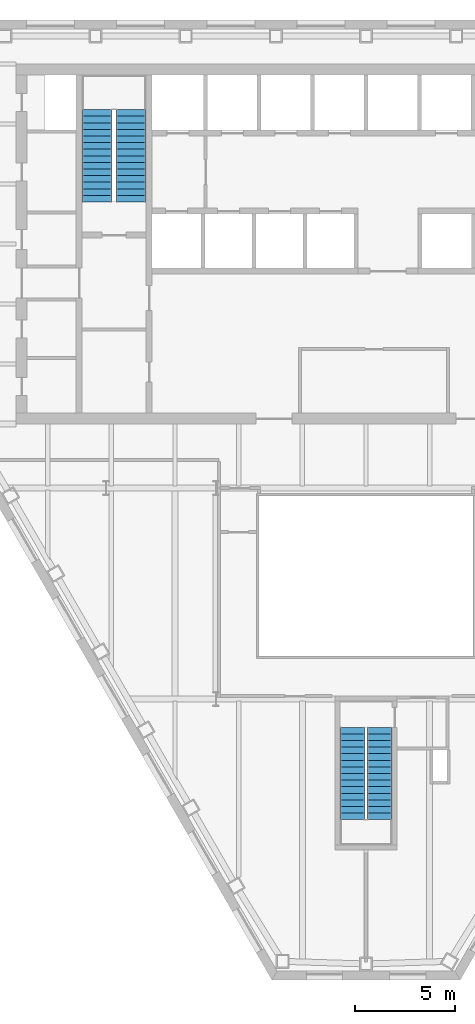
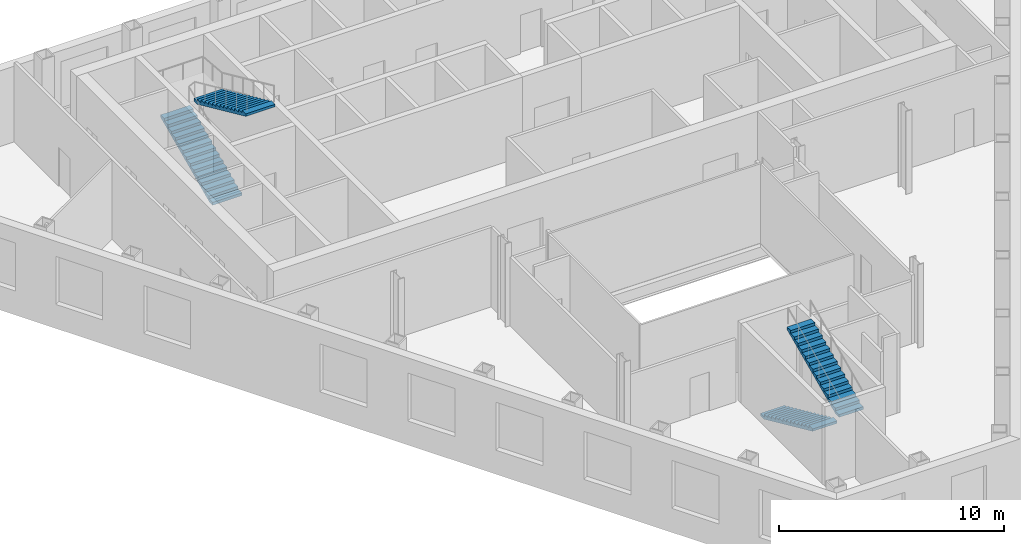
# One storey, part 9 of 11: 4 stair flights, 2 elements without a shape of their own.
"""IFC4 building model written with IfcOpenShell, lengths in metres."""

from ifc_helpers import new_model, si_unit, direction, frame, origin, place, context, subcontext, project, spatial, polygons, material, type_object, element, aggregate, save


model = new_model("IFC4")

# Units and contexts
model_context = context("Model", 3, precision=1e-05, world=origin(), true_north=direction((0.0, 1.0)))
body_context = subcontext(model_context, "Body", "Model", "MODEL_VIEW")
ifc_project = project(units=[si_unit("LENGTHUNIT", "METRE"), si_unit("AREAUNIT", "SQUARE_METRE"), si_unit("VOLUMEUNIT", "CUBIC_METRE"), si_unit("PLANEANGLEUNIT", "RADIAN"), si_unit("MASSUNIT", "GRAM", prefix="KILO")], contexts=[model_context])

# Site, building, storey
site_placement = place(None, origin())
site = spatial("IfcSite", under=ifc_project, at=site_placement, CompositionType="ELEMENT")
building_placement = place(site_placement, origin())
building = spatial("IfcBuilding", under=site, at=building_placement, Name="Njiva Tower", CompositionType="ELEMENT")
storey_placement = place(building_placement, frame((0.0, 0.0, 129.3)))
storey = spatial("IfcBuildingStorey", under=building, at=storey_placement, Name="L27", CompositionType="ELEMENT", Elevation=129.3)

# Stair, stair flights
ifc_material = material(Name="Concrete C40/50", Category="concrete")
stair_type_1 = type_object("IfcStairType", Name="ST1 Exit stair 1250", PredefinedType="HALF_TURN_STAIR", material=ifc_material)
stair_1_placement = place(storey_placement, origin())
stair_1 = element("IfcStair", 1, at=stair_1_placement, inside=storey, type_object=stair_type_1, Name="Stair C", PredefinedType="HALF_TURN_STAIR")
stair_flight_type_1 = type_object("IfcStairFlightType", Name="FL1 Stair flight 1250", PredefinedType="STRAIGHT", material=ifc_material)
stair_flight_1_placement = place(storey_placement, frame((-0.675, -15.16, 0.0), z_axis=(0.0, 0.0, 1.0), x_axis=(0.0, -1.0, 0.0)))
stair_flight_1 = element("IfcStairFlight", 2, at=stair_flight_1_placement, type_object=stair_flight_type_1, Name="ST-C flight 1", NumberOfRisers=15, NumberOfTreads=14, PredefinedType="STRAIGHT", RiserHeight=0.15, TreadLength=0.33, context=body_context, shape_type="Tessellation", body=[
    polygons([(0.0, 0.625, 0.0), (0.0, 0.3125, 0.0), (0.0, 0.0, 0.0), (0.0, -0.3125, 0.0), (0.0, -0.625, 0.0), (0.0, 0.625, 0.15), (0.0, 0.3125, 0.15), (0.0, 0.0, 0.15), (0.0, -0.3125, 0.15), (0.0, -0.625, 0.15), (0.33, 0.625, 0.15), (0.33, 0.3125, 0.15), (0.33, 0.0, 0.15), (0.33, -0.3125, 0.15), (0.33, -0.625, 0.15), (0.33, 0.625, 0.3), (0.33, 0.3125, 0.3), (0.33, 0.0, 0.3), (0.33, -0.3125, 0.3), (0.33, -0.625, 0.3), (0.66, 0.625, 0.3), (0.66, 0.3125, 0.3), (0.66, 0.0, 0.3), (0.66, -0.3125, 0.3), (0.66, -0.625, 0.3), (0.66, 0.625, 0.45), (0.66, 0.3125, 0.45), (0.66, 0.0, 0.45), (0.66, -0.3125, 0.45), (0.66, -0.625, 0.45), (0.99, 0.625, 0.45), (0.99, 0.3125, 0.45), (0.99, 0.0, 0.45), (0.99, -0.3125, 0.45), (0.99, -0.625, 0.45), (0.99, 0.625, 0.6), (0.99, 0.3125, 0.6), (0.99, 0.0, 0.6), (0.99, -0.3125, 0.6), (0.99, -0.625, 0.6), (1.32, 0.625, 0.6), (1.32, 0.3125, 0.6), (1.32, 0.0, 0.6), (1.32, -0.3125, 0.6), (1.32, -0.625, 0.6), (1.32, 0.625, 0.75), (1.32, 0.3125, 0.75), (1.32, 0.0, 0.75), (1.32, -0.3125, 0.75), (1.32, -0.625, 0.75), (1.65, 0.625, 0.75), (1.65, 0.3125, 0.75), (1.65, 0.0, 0.75), (1.65, -0.3125, 0.75), (1.65, -0.625, 0.75), (1.65, 0.625, 0.9), (1.65, 0.3125, 0.9), (1.65, 0.0, 0.9), (1.65, -0.3125, 0.9), (1.65, -0.625, 0.9), (1.98, 0.625, 0.9), (1.98, 0.3125, 0.9), (1.98, 0.0, 0.9), (1.98, -0.3125, 0.9), (1.98, -0.625, 0.9), (1.98, 0.625, 1.05), (1.98, 0.3125, 1.05), (1.98, 0.0, 1.05), (1.98, -0.3125, 1.05), (1.98, -0.625, 1.05), (2.31, 0.625, 1.05), (2.31, 0.3125, 1.05), (2.31, 0.0, 1.05), (2.31, -0.3125, 1.05), (2.31, -0.625, 1.05), (2.31, 0.625, 1.2), (2.31, 0.3125, 1.2), (2.31, 0.0, 1.2), (2.31, -0.3125, 1.2), (2.31, -0.625, 1.2), (2.64, 0.625, 1.2), (2.64, 0.3125, 1.2), (2.64, 0.0, 1.2), (2.64, -0.3125, 1.2), (2.64, -0.625, 1.2), (2.64, 0.625, 1.35), (2.64, 0.3125, 1.35), (2.64, 0.0, 1.35), (2.64, -0.3125, 1.35), (2.64, -0.625, 1.35), (2.97, 0.625, 1.35), (2.97, 0.3125, 1.35), (2.97, 0.0, 1.35), (2.97, -0.3125, 1.35), (2.97, -0.625, 1.35), (2.97, 0.625, 1.5), (2.97, 0.3125, 1.5), (2.97, 0.0, 1.5), (2.97, -0.3125, 1.5), (2.97, -0.625, 1.5), (3.3, 0.625, 1.5), (3.3, 0.3125, 1.5), (3.3, 0.0, 1.5), (3.3, -0.3125, 1.5), (3.3, -0.625, 1.5), (3.3, 0.625, 1.65), (3.3, 0.3125, 1.65), (3.3, 0.0, 1.65), (3.3, -0.3125, 1.65), (3.3, -0.625, 1.65), (3.63, 0.625, 1.65), (3.63, 0.3125, 1.65), (3.63, 0.0, 1.65), (3.63, -0.3125, 1.65), (3.63, -0.625, 1.65), (3.63, 0.625, 1.8), (3.63, 0.3125, 1.8), (3.63, 0.0, 1.8), (3.63, -0.3125, 1.8), (3.63, -0.625, 1.8), (3.96, 0.625, 1.8), (3.96, 0.3125, 1.8), (3.96, 0.0, 1.8), (3.96, -0.3125, 1.8), (3.96, -0.625, 1.8), (3.96, 0.625, 1.95), (3.96, 0.3125, 1.95), (3.96, 0.0, 1.95), (3.96, -0.3125, 1.95), (3.96, -0.625, 1.95), (4.29, 0.625, 1.95), (4.29, 0.3125, 1.95), (4.29, 0.0, 1.95), (4.29, -0.3125, 1.95), (4.29, -0.625, 1.95), (4.29, 0.625, 2.1), (4.29, 0.3125, 2.1), (4.29, 0.0, 2.1), (4.29, -0.3125, 2.1), (4.29, -0.625, 2.1), (4.62, 0.625, 2.1), (4.62, 0.3125, 2.1), (4.62, 0.0, 2.1), (4.62, -0.3125, 2.1), (4.62, -0.625, 2.1), (4.62, 0.625, 1.9682), (4.62, 0.3125, 1.9682), (4.62, 0.0, 1.9682), (4.62, -0.3125, 1.9682), (4.62, -0.625, 1.9682), (0.29, 0.625, 0.0), (0.29, 0.3125, 0.0), (0.29, 0.0, 0.0), (0.29, -0.3125, 0.0), (0.29, -0.625, 0.0)], [[[1, 6, 11, 16, 21, 26, 31, 36, 41, 46, 51, 56, 61, 66, 71, 76, 81, 86, 91, 96, 101, 106, 111, 116, 121, 126, 131, 136, 141, 146, 151]], [[155, 150, 145, 140, 135, 130, 125, 120, 115, 110, 105, 100, 95, 90, 85, 80, 75, 70, 65, 60, 55, 50, 45, 40, 35, 30, 25, 20, 15, 10, 5]], [[6, 1, 2, 7]], [[7, 2, 3, 8]], [[8, 3, 4, 9]], [[9, 4, 5, 10]], [[11, 6, 7, 12]], [[12, 7, 8, 13]], [[13, 8, 9, 14]], [[14, 9, 10, 15]], [[16, 11, 12, 17]], [[17, 12, 13, 18]], [[18, 13, 14, 19]], [[19, 14, 15, 20]], [[21, 16, 17, 22]], [[22, 17, 18, 23]], [[23, 18, 19, 24]], [[24, 19, 20, 25]], [[26, 21, 22, 27]], [[27, 22, 23, 28]], [[28, 23, 24, 29]], [[29, 24, 25, 30]], [[31, 26, 27, 32]], [[32, 27, 28, 33]], [[33, 28, 29, 34]], [[34, 29, 30, 35]], [[36, 31, 32, 37]], [[37, 32, 33, 38]], [[38, 33, 34, 39]], [[39, 34, 35, 40]], [[41, 36, 37, 42]], [[42, 37, 38, 43]], [[43, 38, 39, 44]], [[44, 39, 40, 45]], [[46, 41, 42, 47]], [[47, 42, 43, 48]], [[48, 43, 44, 49]], [[49, 44, 45, 50]], [[51, 46, 47, 52]], [[52, 47, 48, 53]], [[53, 48, 49, 54]], [[54, 49, 50, 55]], [[56, 51, 52, 57]], [[57, 52, 53, 58]], [[58, 53, 54, 59]], [[59, 54, 55, 60]], [[61, 56, 57, 62]], [[62, 57, 58, 63]], [[63, 58, 59, 64]], [[64, 59, 60, 65]], [[66, 61, 62, 67]], [[67, 62, 63, 68]], [[68, 63, 64, 69]], [[69, 64, 65, 70]], [[71, 66, 67, 72]], [[72, 67, 68, 73]], [[73, 68, 69, 74]], [[74, 69, 70, 75]], [[76, 71, 72, 77]], [[77, 72, 73, 78]], [[78, 73, 74, 79]], [[79, 74, 75, 80]], [[81, 76, 77, 82]], [[82, 77, 78, 83]], [[83, 78, 79, 84]], [[84, 79, 80, 85]], [[86, 81, 82, 87]], [[87, 82, 83, 88]], [[88, 83, 84, 89]], [[89, 84, 85, 90]], [[91, 86, 87, 92]], [[92, 87, 88, 93]], [[93, 88, 89, 94]], [[94, 89, 90, 95]], [[96, 91, 92, 97]], [[97, 92, 93, 98]], [[98, 93, 94, 99]], [[99, 94, 95, 100]], [[101, 96, 97, 102]], [[102, 97, 98, 103]], [[103, 98, 99, 104]], [[104, 99, 100, 105]], [[106, 101, 102, 107]], [[107, 102, 103, 108]], [[108, 103, 104, 109]], [[109, 104, 105, 110]], [[111, 106, 107, 112]], [[112, 107, 108, 113]], [[113, 108, 109, 114]], [[114, 109, 110, 115]], [[116, 111, 112, 117]], [[117, 112, 113, 118]], [[118, 113, 114, 119]], [[119, 114, 115, 120]], [[121, 116, 117, 122]], [[122, 117, 118, 123]], [[123, 118, 119, 124]], [[124, 119, 120, 125]], [[126, 121, 122, 127]], [[127, 122, 123, 128]], [[128, 123, 124, 129]], [[129, 124, 125, 130]], [[131, 126, 127, 132]], [[132, 127, 128, 133]], [[133, 128, 129, 134]], [[134, 129, 130, 135]], [[136, 131, 132, 137]], [[137, 132, 133, 138]], [[138, 133, 134, 139]], [[139, 134, 135, 140]], [[141, 136, 137, 142]], [[142, 137, 138, 143]], [[143, 138, 139, 144]], [[144, 139, 140, 145]], [[146, 141, 142, 147]], [[147, 142, 143, 148]], [[148, 143, 144, 149]], [[149, 144, 145, 150]], [[151, 146, 147, 152]], [[152, 147, 148, 153]], [[153, 148, 149, 154]], [[154, 149, 150, 155]], [[1, 151, 152, 2]], [[2, 152, 153, 3]], [[3, 153, 154, 4]], [[4, 154, 155, 5]]], closed=True),
])
stair_flight_2_placement = place(storey_placement, frame((0.675, -19.78, 2.25), z_axis=(0.0, 0.0, 1.0), x_axis=(0.0, 1.0, 0.0)))
stair_flight_2 = element("IfcStairFlight", 3, at=stair_flight_2_placement, type_object=stair_flight_type_1, Name="ST-C flight 2", NumberOfRisers=15, NumberOfTreads=14, PredefinedType="STRAIGHT", RiserHeight=0.15, TreadLength=0.33, context=body_context, shape_type="Tessellation", body=[
    polygons([(0.0, 0.625, 0.0), (0.0, 0.3125, 0.0), (0.0, 0.0, 0.0), (0.0, -0.3125, 0.0), (0.0, -0.625, 0.0), (0.0, 0.625, 0.15), (0.0, 0.3125, 0.15), (0.0, 0.0, 0.15), (0.0, -0.3125, 0.15), (0.0, -0.625, 0.15), (0.33, 0.625, 0.15), (0.33, 0.3125, 0.15), (0.33, 0.0, 0.15), (0.33, -0.3125, 0.15), (0.33, -0.625, 0.15), (0.33, 0.625, 0.3), (0.33, 0.3125, 0.3), (0.33, 0.0, 0.3), (0.33, -0.3125, 0.3), (0.33, -0.625, 0.3), (0.66, 0.625, 0.3), (0.66, 0.3125, 0.3), (0.66, 0.0, 0.3), (0.66, -0.3125, 0.3), (0.66, -0.625, 0.3), (0.66, 0.625, 0.45), (0.66, 0.3125, 0.45), (0.66, 0.0, 0.45), (0.66, -0.3125, 0.45), (0.66, -0.625, 0.45), (0.99, 0.625, 0.45), (0.99, 0.3125, 0.45), (0.99, 0.0, 0.45), (0.99, -0.3125, 0.45), (0.99, -0.625, 0.45), (0.99, 0.625, 0.6), (0.99, 0.3125, 0.6), (0.99, 0.0, 0.6), (0.99, -0.3125, 0.6), (0.99, -0.625, 0.6), (1.32, 0.625, 0.6), (1.32, 0.3125, 0.6), (1.32, 0.0, 0.6), (1.32, -0.3125, 0.6), (1.32, -0.625, 0.6), (1.32, 0.625, 0.75), (1.32, 0.3125, 0.75), (1.32, 0.0, 0.75), (1.32, -0.3125, 0.75), (1.32, -0.625, 0.75), (1.65, 0.625, 0.75), (1.65, 0.3125, 0.75), (1.65, 0.0, 0.75), (1.65, -0.3125, 0.75), (1.65, -0.625, 0.75), (1.65, 0.625, 0.9), (1.65, 0.3125, 0.9), (1.65, 0.0, 0.9), (1.65, -0.3125, 0.9), (1.65, -0.625, 0.9), (1.98, 0.625, 0.9), (1.98, 0.3125, 0.9), (1.98, 0.0, 0.9), (1.98, -0.3125, 0.9), (1.98, -0.625, 0.9), (1.98, 0.625, 1.05), (1.98, 0.3125, 1.05), (1.98, 0.0, 1.05), (1.98, -0.3125, 1.05), (1.98, -0.625, 1.05), (2.31, 0.625, 1.05), (2.31, 0.3125, 1.05), (2.31, 0.0, 1.05), (2.31, -0.3125, 1.05), (2.31, -0.625, 1.05), (2.31, 0.625, 1.2), (2.31, 0.3125, 1.2), (2.31, 0.0, 1.2), (2.31, -0.3125, 1.2), (2.31, -0.625, 1.2), (2.64, 0.625, 1.2), (2.64, 0.3125, 1.2), (2.64, 0.0, 1.2), (2.64, -0.3125, 1.2), (2.64, -0.625, 1.2), (2.64, 0.625, 1.35), (2.64, 0.3125, 1.35), (2.64, 0.0, 1.35), (2.64, -0.3125, 1.35), (2.64, -0.625, 1.35), (2.97, 0.625, 1.35), (2.97, 0.3125, 1.35), (2.97, 0.0, 1.35), (2.97, -0.3125, 1.35), (2.97, -0.625, 1.35), (2.97, 0.625, 1.5), (2.97, 0.3125, 1.5), (2.97, 0.0, 1.5), (2.97, -0.3125, 1.5), (2.97, -0.625, 1.5), (3.3, 0.625, 1.5), (3.3, 0.3125, 1.5), (3.3, 0.0, 1.5), (3.3, -0.3125, 1.5), (3.3, -0.625, 1.5), (3.3, 0.625, 1.65), (3.3, 0.3125, 1.65), (3.3, 0.0, 1.65), (3.3, -0.3125, 1.65), (3.3, -0.625, 1.65), (3.63, 0.625, 1.65), (3.63, 0.3125, 1.65), (3.63, 0.0, 1.65), (3.63, -0.3125, 1.65), (3.63, -0.625, 1.65), (3.63, 0.625, 1.8), (3.63, 0.3125, 1.8), (3.63, 0.0, 1.8), (3.63, -0.3125, 1.8), (3.63, -0.625, 1.8), (3.96, 0.625, 1.8), (3.96, 0.3125, 1.8), (3.96, 0.0, 1.8), (3.96, -0.3125, 1.8), (3.96, -0.625, 1.8), (3.96, 0.625, 1.95), (3.96, 0.3125, 1.95), (3.96, 0.0, 1.95), (3.96, -0.3125, 1.95), (3.96, -0.625, 1.95), (4.29, 0.625, 1.95), (4.29, 0.3125, 1.95), (4.29, 0.0, 1.95), (4.29, -0.3125, 1.95), (4.29, -0.625, 1.95), (4.29, 0.625, 2.1), (4.29, 0.3125, 2.1), (4.29, 0.0, 2.1), (4.29, -0.3125, 2.1), (4.29, -0.625, 2.1), (4.62, 0.625, 2.1), (4.62, 0.3125, 2.1), (4.62, 0.0, 2.1), (4.62, -0.3125, 2.1), (4.62, -0.625, 2.1), (4.62, 0.625, 1.9682), (4.62, 0.3125, 1.9682), (4.62, 0.0, 1.9682), (4.62, -0.3125, 1.9682), (4.62, -0.625, 1.9682), (0.29, 0.625, 0.0), (0.29, 0.3125, 0.0), (0.29, 0.0, 0.0), (0.29, -0.3125, 0.0), (0.29, -0.625, 0.0)], [[[1, 6, 11, 16, 21, 26, 31, 36, 41, 46, 51, 56, 61, 66, 71, 76, 81, 86, 91, 96, 101, 106, 111, 116, 121, 126, 131, 136, 141, 146, 151]], [[155, 150, 145, 140, 135, 130, 125, 120, 115, 110, 105, 100, 95, 90, 85, 80, 75, 70, 65, 60, 55, 50, 45, 40, 35, 30, 25, 20, 15, 10, 5]], [[6, 1, 2, 7]], [[7, 2, 3, 8]], [[8, 3, 4, 9]], [[9, 4, 5, 10]], [[11, 6, 7, 12]], [[12, 7, 8, 13]], [[13, 8, 9, 14]], [[14, 9, 10, 15]], [[16, 11, 12, 17]], [[17, 12, 13, 18]], [[18, 13, 14, 19]], [[19, 14, 15, 20]], [[21, 16, 17, 22]], [[22, 17, 18, 23]], [[23, 18, 19, 24]], [[24, 19, 20, 25]], [[26, 21, 22, 27]], [[27, 22, 23, 28]], [[28, 23, 24, 29]], [[29, 24, 25, 30]], [[31, 26, 27, 32]], [[32, 27, 28, 33]], [[33, 28, 29, 34]], [[34, 29, 30, 35]], [[36, 31, 32, 37]], [[37, 32, 33, 38]], [[38, 33, 34, 39]], [[39, 34, 35, 40]], [[41, 36, 37, 42]], [[42, 37, 38, 43]], [[43, 38, 39, 44]], [[44, 39, 40, 45]], [[46, 41, 42, 47]], [[47, 42, 43, 48]], [[48, 43, 44, 49]], [[49, 44, 45, 50]], [[51, 46, 47, 52]], [[52, 47, 48, 53]], [[53, 48, 49, 54]], [[54, 49, 50, 55]], [[56, 51, 52, 57]], [[57, 52, 53, 58]], [[58, 53, 54, 59]], [[59, 54, 55, 60]], [[61, 56, 57, 62]], [[62, 57, 58, 63]], [[63, 58, 59, 64]], [[64, 59, 60, 65]], [[66, 61, 62, 67]], [[67, 62, 63, 68]], [[68, 63, 64, 69]], [[69, 64, 65, 70]], [[71, 66, 67, 72]], [[72, 67, 68, 73]], [[73, 68, 69, 74]], [[74, 69, 70, 75]], [[76, 71, 72, 77]], [[77, 72, 73, 78]], [[78, 73, 74, 79]], [[79, 74, 75, 80]], [[81, 76, 77, 82]], [[82, 77, 78, 83]], [[83, 78, 79, 84]], [[84, 79, 80, 85]], [[86, 81, 82, 87]], [[87, 82, 83, 88]], [[88, 83, 84, 89]], [[89, 84, 85, 90]], [[91, 86, 87, 92]], [[92, 87, 88, 93]], [[93, 88, 89, 94]], [[94, 89, 90, 95]], [[96, 91, 92, 97]], [[97, 92, 93, 98]], [[98, 93, 94, 99]], [[99, 94, 95, 100]], [[101, 96, 97, 102]], [[102, 97, 98, 103]], [[103, 98, 99, 104]], [[104, 99, 100, 105]], [[106, 101, 102, 107]], [[107, 102, 103, 108]], [[108, 103, 104, 109]], [[109, 104, 105, 110]], [[111, 106, 107, 112]], [[112, 107, 108, 113]], [[113, 108, 109, 114]], [[114, 109, 110, 115]], [[116, 111, 112, 117]], [[117, 112, 113, 118]], [[118, 113, 114, 119]], [[119, 114, 115, 120]], [[121, 116, 117, 122]], [[122, 117, 118, 123]], [[123, 118, 119, 124]], [[124, 119, 120, 125]], [[126, 121, 122, 127]], [[127, 122, 123, 128]], [[128, 123, 124, 129]], [[129, 124, 125, 130]], [[131, 126, 127, 132]], [[132, 127, 128, 133]], [[133, 128, 129, 134]], [[134, 129, 130, 135]], [[136, 131, 132, 137]], [[137, 132, 133, 138]], [[138, 133, 134, 139]], [[139, 134, 135, 140]], [[141, 136, 137, 142]], [[142, 137, 138, 143]], [[143, 138, 139, 144]], [[144, 139, 140, 145]], [[146, 141, 142, 147]], [[147, 142, 143, 148]], [[148, 143, 144, 149]], [[149, 144, 145, 150]], [[151, 146, 147, 152]], [[152, 147, 148, 153]], [[153, 148, 149, 154]], [[154, 149, 150, 155]], [[1, 151, 152, 2]], [[2, 152, 153, 3]], [[3, 153, 154, 4]], [[4, 154, 155, 5]]], closed=True),
])
aggregate(stair_1, [stair_flight_1, stair_flight_2])

stair_type_2 = type_object("IfcStairType", Name="ST4 Exit stair 1500", PredefinedType="HALF_TURN_STAIR", material=ifc_material)
stair_2_placement = place(storey_placement, origin())
stair_2 = element("IfcStair", 4, at=stair_2_placement, inside=storey, type_object=stair_type_2, Name="Stair A", PredefinedType="HALF_TURN_STAIR")
stair_flight_type_2 = type_object("IfcStairFlightType", Name="FL4 Stair flight 1500", PredefinedType="STRAIGHT", material=ifc_material)
stair_flight_3_placement = place(storey_placement, frame((-13.45, 11.1, 0.0), z_axis=(0.0, 0.0, 1.0), x_axis=(0.0, 1.0, 0.0)))
stair_flight_3 = element("IfcStairFlight", 5, at=stair_flight_3_placement, type_object=stair_flight_type_2, Name="ST-A flight 1", NumberOfRisers=15, NumberOfTreads=14, PredefinedType="STRAIGHT", RiserHeight=0.15, TreadLength=0.33, context=body_context, shape_type="Tessellation", body=[
    polygons([(0.0, 0.75, 0.0), (0.0, 0.375, 0.0), (0.0, 0.0, 0.0), (0.0, -0.375, 0.0), (0.0, -0.75, 0.0), (0.0, 0.75, 0.15), (0.0, 0.375, 0.15), (0.0, 0.0, 0.15), (0.0, -0.375, 0.15), (0.0, -0.75, 0.15), (0.33, 0.75, 0.15), (0.33, 0.375, 0.15), (0.33, 0.0, 0.15), (0.33, -0.375, 0.15), (0.33, -0.75, 0.15), (0.33, 0.75, 0.3), (0.33, 0.375, 0.3), (0.33, 0.0, 0.3), (0.33, -0.375, 0.3), (0.33, -0.75, 0.3), (0.66, 0.75, 0.3), (0.66, 0.375, 0.3), (0.66, 0.0, 0.3), (0.66, -0.375, 0.3), (0.66, -0.75, 0.3), (0.66, 0.75, 0.45), (0.66, 0.375, 0.45), (0.66, 0.0, 0.45), (0.66, -0.375, 0.45), (0.66, -0.75, 0.45), (0.99, 0.75, 0.45), (0.99, 0.375, 0.45), (0.99, 0.0, 0.45), (0.99, -0.375, 0.45), (0.99, -0.75, 0.45), (0.99, 0.75, 0.6), (0.99, 0.375, 0.6), (0.99, 0.0, 0.6), (0.99, -0.375, 0.6), (0.99, -0.75, 0.6), (1.32, 0.75, 0.6), (1.32, 0.375, 0.6), (1.32, 0.0, 0.6), (1.32, -0.375, 0.6), (1.32, -0.75, 0.6), (1.32, 0.75, 0.75), (1.32, 0.375, 0.75), (1.32, 0.0, 0.75), (1.32, -0.375, 0.75), (1.32, -0.75, 0.75), (1.65, 0.75, 0.75), (1.65, 0.375, 0.75), (1.65, 0.0, 0.75), (1.65, -0.375, 0.75), (1.65, -0.75, 0.75), (1.65, 0.75, 0.9), (1.65, 0.375, 0.9), (1.65, 0.0, 0.9), (1.65, -0.375, 0.9), (1.65, -0.75, 0.9), (1.98, 0.75, 0.9), (1.98, 0.375, 0.9), (1.98, 0.0, 0.9), (1.98, -0.375, 0.9), (1.98, -0.75, 0.9), (1.98, 0.75, 1.05), (1.98, 0.375, 1.05), (1.98, 0.0, 1.05), (1.98, -0.375, 1.05), (1.98, -0.75, 1.05), (2.31, 0.75, 1.05), (2.31, 0.375, 1.05), (2.31, 0.0, 1.05), (2.31, -0.375, 1.05), (2.31, -0.75, 1.05), (2.31, 0.75, 1.2), (2.31, 0.375, 1.2), (2.31, 0.0, 1.2), (2.31, -0.375, 1.2), (2.31, -0.75, 1.2), (2.64, 0.75, 1.2), (2.64, 0.375, 1.2), (2.64, 0.0, 1.2), (2.64, -0.375, 1.2), (2.64, -0.75, 1.2), (2.64, 0.75, 1.35), (2.64, 0.375, 1.35), (2.64, 0.0, 1.35), (2.64, -0.375, 1.35), (2.64, -0.75, 1.35), (2.97, 0.75, 1.35), (2.97, 0.375, 1.35), (2.97, 0.0, 1.35), (2.97, -0.375, 1.35), (2.97, -0.75, 1.35), (2.97, 0.75, 1.5), (2.97, 0.375, 1.5), (2.97, 0.0, 1.5), (2.97, -0.375, 1.5), (2.97, -0.75, 1.5), (3.3, 0.75, 1.5), (3.3, 0.375, 1.5), (3.3, 0.0, 1.5), (3.3, -0.375, 1.5), (3.3, -0.75, 1.5), (3.3, 0.75, 1.65), (3.3, 0.375, 1.65), (3.3, 0.0, 1.65), (3.3, -0.375, 1.65), (3.3, -0.75, 1.65), (3.63, 0.75, 1.65), (3.63, 0.375, 1.65), (3.63, 0.0, 1.65), (3.63, -0.375, 1.65), (3.63, -0.75, 1.65), (3.63, 0.75, 1.8), (3.63, 0.375, 1.8), (3.63, 0.0, 1.8), (3.63, -0.375, 1.8), (3.63, -0.75, 1.8), (3.96, 0.75, 1.8), (3.96, 0.375, 1.8), (3.96, 0.0, 1.8), (3.96, -0.375, 1.8), (3.96, -0.75, 1.8), (3.96, 0.75, 1.95), (3.96, 0.375, 1.95), (3.96, 0.0, 1.95), (3.96, -0.375, 1.95), (3.96, -0.75, 1.95), (4.29, 0.75, 1.95), (4.29, 0.375, 1.95), (4.29, 0.0, 1.95), (4.29, -0.375, 1.95), (4.29, -0.75, 1.95), (4.29, 0.75, 2.1), (4.29, 0.375, 2.1), (4.29, 0.0, 2.1), (4.29, -0.375, 2.1), (4.29, -0.75, 2.1), (4.62, 0.75, 2.1), (4.62, 0.375, 2.1), (4.62, 0.0, 2.1), (4.62, -0.375, 2.1), (4.62, -0.75, 2.1), (4.62, 0.75, 1.9682), (4.62, 0.375, 1.9682), (4.62, 0.0, 1.9682), (4.62, -0.375, 1.9682), (4.62, -0.75, 1.9682), (0.29, 0.75, 0.0), (0.29, 0.375, 0.0), (0.29, 0.0, 0.0), (0.29, -0.375, 0.0), (0.29, -0.75, 0.0)], [[[1, 6, 11, 16, 21, 26, 31, 36, 41, 46, 51, 56, 61, 66, 71, 76, 81, 86, 91, 96, 101, 106, 111, 116, 121, 126, 131, 136, 141, 146, 151]], [[155, 150, 145, 140, 135, 130, 125, 120, 115, 110, 105, 100, 95, 90, 85, 80, 75, 70, 65, 60, 55, 50, 45, 40, 35, 30, 25, 20, 15, 10, 5]], [[6, 1, 2, 7]], [[7, 2, 3, 8]], [[8, 3, 4, 9]], [[9, 4, 5, 10]], [[11, 6, 7, 12]], [[12, 7, 8, 13]], [[13, 8, 9, 14]], [[14, 9, 10, 15]], [[16, 11, 12, 17]], [[17, 12, 13, 18]], [[18, 13, 14, 19]], [[19, 14, 15, 20]], [[21, 16, 17, 22]], [[22, 17, 18, 23]], [[23, 18, 19, 24]], [[24, 19, 20, 25]], [[26, 21, 22, 27]], [[27, 22, 23, 28]], [[28, 23, 24, 29]], [[29, 24, 25, 30]], [[31, 26, 27, 32]], [[32, 27, 28, 33]], [[33, 28, 29, 34]], [[34, 29, 30, 35]], [[36, 31, 32, 37]], [[37, 32, 33, 38]], [[38, 33, 34, 39]], [[39, 34, 35, 40]], [[41, 36, 37, 42]], [[42, 37, 38, 43]], [[43, 38, 39, 44]], [[44, 39, 40, 45]], [[46, 41, 42, 47]], [[47, 42, 43, 48]], [[48, 43, 44, 49]], [[49, 44, 45, 50]], [[51, 46, 47, 52]], [[52, 47, 48, 53]], [[53, 48, 49, 54]], [[54, 49, 50, 55]], [[56, 51, 52, 57]], [[57, 52, 53, 58]], [[58, 53, 54, 59]], [[59, 54, 55, 60]], [[61, 56, 57, 62]], [[62, 57, 58, 63]], [[63, 58, 59, 64]], [[64, 59, 60, 65]], [[66, 61, 62, 67]], [[67, 62, 63, 68]], [[68, 63, 64, 69]], [[69, 64, 65, 70]], [[71, 66, 67, 72]], [[72, 67, 68, 73]], [[73, 68, 69, 74]], [[74, 69, 70, 75]], [[76, 71, 72, 77]], [[77, 72, 73, 78]], [[78, 73, 74, 79]], [[79, 74, 75, 80]], [[81, 76, 77, 82]], [[82, 77, 78, 83]], [[83, 78, 79, 84]], [[84, 79, 80, 85]], [[86, 81, 82, 87]], [[87, 82, 83, 88]], [[88, 83, 84, 89]], [[89, 84, 85, 90]], [[91, 86, 87, 92]], [[92, 87, 88, 93]], [[93, 88, 89, 94]], [[94, 89, 90, 95]], [[96, 91, 92, 97]], [[97, 92, 93, 98]], [[98, 93, 94, 99]], [[99, 94, 95, 100]], [[101, 96, 97, 102]], [[102, 97, 98, 103]], [[103, 98, 99, 104]], [[104, 99, 100, 105]], [[106, 101, 102, 107]], [[107, 102, 103, 108]], [[108, 103, 104, 109]], [[109, 104, 105, 110]], [[111, 106, 107, 112]], [[112, 107, 108, 113]], [[113, 108, 109, 114]], [[114, 109, 110, 115]], [[116, 111, 112, 117]], [[117, 112, 113, 118]], [[118, 113, 114, 119]], [[119, 114, 115, 120]], [[121, 116, 117, 122]], [[122, 117, 118, 123]], [[123, 118, 119, 124]], [[124, 119, 120, 125]], [[126, 121, 122, 127]], [[127, 122, 123, 128]], [[128, 123, 124, 129]], [[129, 124, 125, 130]], [[131, 126, 127, 132]], [[132, 127, 128, 133]], [[133, 128, 129, 134]], [[134, 129, 130, 135]], [[136, 131, 132, 137]], [[137, 132, 133, 138]], [[138, 133, 134, 139]], [[139, 134, 135, 140]], [[141, 136, 137, 142]], [[142, 137, 138, 143]], [[143, 138, 139, 144]], [[144, 139, 140, 145]], [[146, 141, 142, 147]], [[147, 142, 143, 148]], [[148, 143, 144, 149]], [[149, 144, 145, 150]], [[151, 146, 147, 152]], [[152, 147, 148, 153]], [[153, 148, 149, 154]], [[154, 149, 150, 155]], [[1, 151, 152, 2]], [[2, 152, 153, 3]], [[3, 153, 154, 4]], [[4, 154, 155, 5]]], closed=True),
])
stair_flight_4_placement = place(storey_placement, frame((-11.75, 15.72, 2.25), z_axis=(0.0, 0.0, 1.0), x_axis=(0.0, -1.0, 0.0)))
stair_flight_4 = element("IfcStairFlight", 6, at=stair_flight_4_placement, type_object=stair_flight_type_2, Name="ST-A flight 2", NumberOfRisers=15, NumberOfTreads=14, PredefinedType="STRAIGHT", RiserHeight=0.15, TreadLength=0.33, context=body_context, shape_type="Tessellation", body=[
    polygons([(0.0, 0.75, 0.0), (0.0, 0.375, 0.0), (0.0, 0.0, 0.0), (0.0, -0.375, 0.0), (0.0, -0.75, 0.0), (0.0, 0.75, 0.15), (0.0, 0.375, 0.15), (0.0, 0.0, 0.15), (0.0, -0.375, 0.15), (0.0, -0.75, 0.15), (0.33, 0.75, 0.15), (0.33, 0.375, 0.15), (0.33, 0.0, 0.15), (0.33, -0.375, 0.15), (0.33, -0.75, 0.15), (0.33, 0.75, 0.3), (0.33, 0.375, 0.3), (0.33, 0.0, 0.3), (0.33, -0.375, 0.3), (0.33, -0.75, 0.3), (0.66, 0.75, 0.3), (0.66, 0.375, 0.3), (0.66, 0.0, 0.3), (0.66, -0.375, 0.3), (0.66, -0.75, 0.3), (0.66, 0.75, 0.45), (0.66, 0.375, 0.45), (0.66, 0.0, 0.45), (0.66, -0.375, 0.45), (0.66, -0.75, 0.45), (0.99, 0.75, 0.45), (0.99, 0.375, 0.45), (0.99, 0.0, 0.45), (0.99, -0.375, 0.45), (0.99, -0.75, 0.45), (0.99, 0.75, 0.6), (0.99, 0.375, 0.6), (0.99, 0.0, 0.6), (0.99, -0.375, 0.6), (0.99, -0.75, 0.6), (1.32, 0.75, 0.6), (1.32, 0.375, 0.6), (1.32, 0.0, 0.6), (1.32, -0.375, 0.6), (1.32, -0.75, 0.6), (1.32, 0.75, 0.75), (1.32, 0.375, 0.75), (1.32, 0.0, 0.75), (1.32, -0.375, 0.75), (1.32, -0.75, 0.75), (1.65, 0.75, 0.75), (1.65, 0.375, 0.75), (1.65, 0.0, 0.75), (1.65, -0.375, 0.75), (1.65, -0.75, 0.75), (1.65, 0.75, 0.9), (1.65, 0.375, 0.9), (1.65, 0.0, 0.9), (1.65, -0.375, 0.9), (1.65, -0.75, 0.9), (1.98, 0.75, 0.9), (1.98, 0.375, 0.9), (1.98, 0.0, 0.9), (1.98, -0.375, 0.9), (1.98, -0.75, 0.9), (1.98, 0.75, 1.05), (1.98, 0.375, 1.05), (1.98, 0.0, 1.05), (1.98, -0.375, 1.05), (1.98, -0.75, 1.05), (2.31, 0.75, 1.05), (2.31, 0.375, 1.05), (2.31, 0.0, 1.05), (2.31, -0.375, 1.05), (2.31, -0.75, 1.05), (2.31, 0.75, 1.2), (2.31, 0.375, 1.2), (2.31, 0.0, 1.2), (2.31, -0.375, 1.2), (2.31, -0.75, 1.2), (2.64, 0.75, 1.2), (2.64, 0.375, 1.2), (2.64, 0.0, 1.2), (2.64, -0.375, 1.2), (2.64, -0.75, 1.2), (2.64, 0.75, 1.35), (2.64, 0.375, 1.35), (2.64, 0.0, 1.35), (2.64, -0.375, 1.35), (2.64, -0.75, 1.35), (2.97, 0.75, 1.35), (2.97, 0.375, 1.35), (2.97, 0.0, 1.35), (2.97, -0.375, 1.35), (2.97, -0.75, 1.35), (2.97, 0.75, 1.5), (2.97, 0.375, 1.5), (2.97, 0.0, 1.5), (2.97, -0.375, 1.5), (2.97, -0.75, 1.5), (3.3, 0.75, 1.5), (3.3, 0.375, 1.5), (3.3, 0.0, 1.5), (3.3, -0.375, 1.5), (3.3, -0.75, 1.5), (3.3, 0.75, 1.65), (3.3, 0.375, 1.65), (3.3, 0.0, 1.65), (3.3, -0.375, 1.65), (3.3, -0.75, 1.65), (3.63, 0.75, 1.65), (3.63, 0.375, 1.65), (3.63, 0.0, 1.65), (3.63, -0.375, 1.65), (3.63, -0.75, 1.65), (3.63, 0.75, 1.8), (3.63, 0.375, 1.8), (3.63, 0.0, 1.8), (3.63, -0.375, 1.8), (3.63, -0.75, 1.8), (3.96, 0.75, 1.8), (3.96, 0.375, 1.8), (3.96, 0.0, 1.8), (3.96, -0.375, 1.8), (3.96, -0.75, 1.8), (3.96, 0.75, 1.95), (3.96, 0.375, 1.95), (3.96, 0.0, 1.95), (3.96, -0.375, 1.95), (3.96, -0.75, 1.95), (4.29, 0.75, 1.95), (4.29, 0.375, 1.95), (4.29, 0.0, 1.95), (4.29, -0.375, 1.95), (4.29, -0.75, 1.95), (4.29, 0.75, 2.1), (4.29, 0.375, 2.1), (4.29, 0.0, 2.1), (4.29, -0.375, 2.1), (4.29, -0.75, 2.1), (4.62, 0.75, 2.1), (4.62, 0.375, 2.1), (4.62, 0.0, 2.1), (4.62, -0.375, 2.1), (4.62, -0.75, 2.1), (4.62, 0.75, 1.9682), (4.62, 0.375, 1.9682), (4.62, 0.0, 1.9682), (4.62, -0.375, 1.9682), (4.62, -0.75, 1.9682), (0.29, 0.75, 0.0), (0.29, 0.375, 0.0), (0.29, 0.0, 0.0), (0.29, -0.375, 0.0), (0.29, -0.75, 0.0)], [[[1, 6, 11, 16, 21, 26, 31, 36, 41, 46, 51, 56, 61, 66, 71, 76, 81, 86, 91, 96, 101, 106, 111, 116, 121, 126, 131, 136, 141, 146, 151]], [[155, 150, 145, 140, 135, 130, 125, 120, 115, 110, 105, 100, 95, 90, 85, 80, 75, 70, 65, 60, 55, 50, 45, 40, 35, 30, 25, 20, 15, 10, 5]], [[6, 1, 2, 7]], [[7, 2, 3, 8]], [[8, 3, 4, 9]], [[9, 4, 5, 10]], [[11, 6, 7, 12]], [[12, 7, 8, 13]], [[13, 8, 9, 14]], [[14, 9, 10, 15]], [[16, 11, 12, 17]], [[17, 12, 13, 18]], [[18, 13, 14, 19]], [[19, 14, 15, 20]], [[21, 16, 17, 22]], [[22, 17, 18, 23]], [[23, 18, 19, 24]], [[24, 19, 20, 25]], [[26, 21, 22, 27]], [[27, 22, 23, 28]], [[28, 23, 24, 29]], [[29, 24, 25, 30]], [[31, 26, 27, 32]], [[32, 27, 28, 33]], [[33, 28, 29, 34]], [[34, 29, 30, 35]], [[36, 31, 32, 37]], [[37, 32, 33, 38]], [[38, 33, 34, 39]], [[39, 34, 35, 40]], [[41, 36, 37, 42]], [[42, 37, 38, 43]], [[43, 38, 39, 44]], [[44, 39, 40, 45]], [[46, 41, 42, 47]], [[47, 42, 43, 48]], [[48, 43, 44, 49]], [[49, 44, 45, 50]], [[51, 46, 47, 52]], [[52, 47, 48, 53]], [[53, 48, 49, 54]], [[54, 49, 50, 55]], [[56, 51, 52, 57]], [[57, 52, 53, 58]], [[58, 53, 54, 59]], [[59, 54, 55, 60]], [[61, 56, 57, 62]], [[62, 57, 58, 63]], [[63, 58, 59, 64]], [[64, 59, 60, 65]], [[66, 61, 62, 67]], [[67, 62, 63, 68]], [[68, 63, 64, 69]], [[69, 64, 65, 70]], [[71, 66, 67, 72]], [[72, 67, 68, 73]], [[73, 68, 69, 74]], [[74, 69, 70, 75]], [[76, 71, 72, 77]], [[77, 72, 73, 78]], [[78, 73, 74, 79]], [[79, 74, 75, 80]], [[81, 76, 77, 82]], [[82, 77, 78, 83]], [[83, 78, 79, 84]], [[84, 79, 80, 85]], [[86, 81, 82, 87]], [[87, 82, 83, 88]], [[88, 83, 84, 89]], [[89, 84, 85, 90]], [[91, 86, 87, 92]], [[92, 87, 88, 93]], [[93, 88, 89, 94]], [[94, 89, 90, 95]], [[96, 91, 92, 97]], [[97, 92, 93, 98]], [[98, 93, 94, 99]], [[99, 94, 95, 100]], [[101, 96, 97, 102]], [[102, 97, 98, 103]], [[103, 98, 99, 104]], [[104, 99, 100, 105]], [[106, 101, 102, 107]], [[107, 102, 103, 108]], [[108, 103, 104, 109]], [[109, 104, 105, 110]], [[111, 106, 107, 112]], [[112, 107, 108, 113]], [[113, 108, 109, 114]], [[114, 109, 110, 115]], [[116, 111, 112, 117]], [[117, 112, 113, 118]], [[118, 113, 114, 119]], [[119, 114, 115, 120]], [[121, 116, 117, 122]], [[122, 117, 118, 123]], [[123, 118, 119, 124]], [[124, 119, 120, 125]], [[126, 121, 122, 127]], [[127, 122, 123, 128]], [[128, 123, 124, 129]], [[129, 124, 125, 130]], [[131, 126, 127, 132]], [[132, 127, 128, 133]], [[133, 128, 129, 134]], [[134, 129, 130, 135]], [[136, 131, 132, 137]], [[137, 132, 133, 138]], [[138, 133, 134, 139]], [[139, 134, 135, 140]], [[141, 136, 137, 142]], [[142, 137, 138, 143]], [[143, 138, 139, 144]], [[144, 139, 140, 145]], [[146, 141, 142, 147]], [[147, 142, 143, 148]], [[148, 143, 144, 149]], [[149, 144, 145, 150]], [[151, 146, 147, 152]], [[152, 147, 148, 153]], [[153, 148, 149, 154]], [[154, 149, 150, 155]], [[1, 151, 152, 2]], [[2, 152, 153, 3]], [[3, 153, 154, 4]], [[4, 154, 155, 5]]], closed=True),
])
aggregate(stair_2, [stair_flight_3, stair_flight_4])

save(model, "model.ifc")
